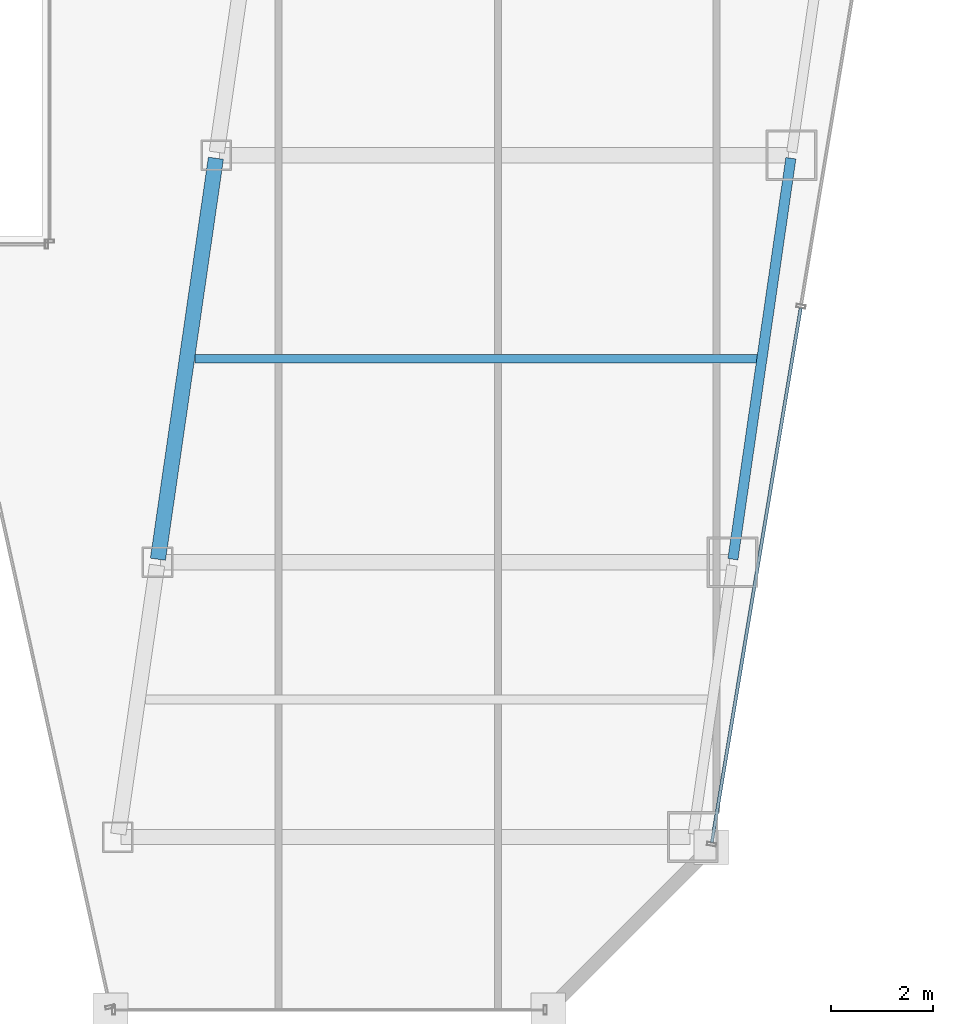
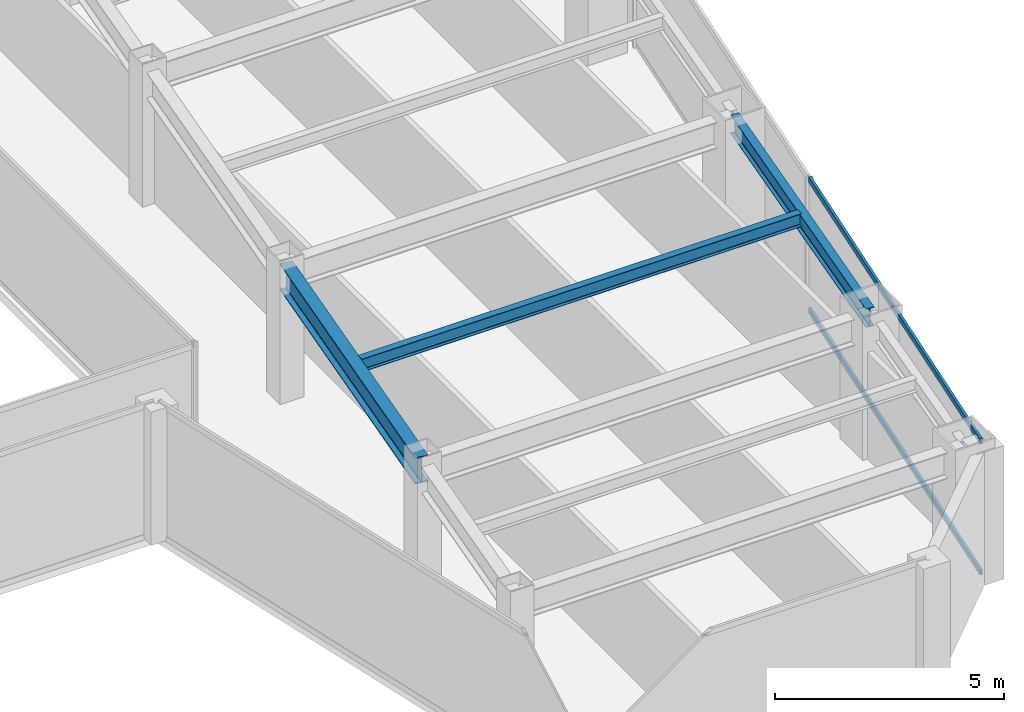
# One storey, part 15 of 36: 3 beams, 2 members, 1 element without a shape of its own.
"""IFC4 building model written with IfcOpenShell, lengths in metres."""

from ifc_helpers import new_model, si_unit, direction, frame, origin, origin_2d, place, context, subcontext, project, spatial, hollow_rectangle, i_section, extrude, material, material_profile, profile_set, type_object, element, aggregate, save


model = new_model("IFC4")

# Units and contexts
model_context = context("Model", 3, precision=1e-05, world=origin(), true_north=direction((0.0, 1.0)))
body_context = subcontext(model_context, "Body", "Model", "MODEL_VIEW")
ifc_project = project(units=[si_unit("LENGTHUNIT", "METRE"), si_unit("AREAUNIT", "SQUARE_METRE"), si_unit("VOLUMEUNIT", "CUBIC_METRE"), si_unit("PLANEANGLEUNIT", "RADIAN"), si_unit("MASSUNIT", "GRAM", prefix="KILO")], contexts=[model_context])

# Site, building, storey
site_placement = place(None, origin())
site = spatial("IfcSite", under=ifc_project, at=site_placement, CompositionType="ELEMENT")
building_placement = place(site_placement, origin())
building = spatial("IfcBuilding", under=site, at=building_placement, Name="Saevonmaru Cultural Tower", CompositionType="ELEMENT")
storey_placement = place(building_placement, frame((0.0, 0.0, 148.60009765625)))
storey = spatial("IfcBuildingStorey", under=building, at=storey_placement, Name="L32", CompositionType="ELEMENT", Elevation=148.60009765625)

# Beams
ifc_material_1 = material(Name="Steel SM355", Category="steel")
ifc_material_profile_1 = material_profile(ifc_material_1, i_section(OverallWidth=0.300048828125, OverallDepth=0.699951171875, WebThickness=0.012939453125, FlangeThickness=0.02392578125, FilletRadius=0.02587890625, at=origin_2d()), Name="H-700x300x13x24")
ifc_profile_set_1 = profile_set([ifc_material_profile_1], Name="Steel SM355")
beam_type_1 = type_object("IfcBeamType", Name="BM-G-H700", PredefinedType="BEAM", material=ifc_profile_set_1)
beam_1_placement = place(storey_placement, frame((38.08056640625, 16.059326171875, 3.199951171875), z_axis=(0.143022161059, 0.989719486241, 0.0), x_axis=(-0.989719486241, 0.143022161059, 0.0)))
element("IfcBeam", 1, at=beam_1_placement, inside=storey, type_object=beam_type_1, Name="L32 East Atrium Girder 2", PredefinedType="BEAM", context=body_context, shape_type="SweptSolid", body=[
    extrude(i_section(OverallWidth=0.300048828125, OverallDepth=0.699951171875, WebThickness=0.012939453125, FlangeThickness=0.02392578125, FilletRadius=0.02587890625, at=origin_2d()), origin(), (0.0, 0.0, 1.0), 7.963134765625),
])
ifc_material_profile_2 = material_profile(ifc_material_1, i_section(OverallWidth=0.175048828125, OverallDepth=0.35009765625, WebThickness=0.007080078125, FlangeThickness=0.010986328125, FilletRadius=0.012939453125, at=origin_2d()), Name="H-350x175x7x11")
ifc_profile_set_2 = profile_set([ifc_material_profile_2], Name="Steel SM355")
beam_type_2 = type_object("IfcBeamType", Name="BM-J-H350", PredefinedType="JOIST", material=ifc_profile_set_2)
beam_2_placement = place(storey_placement, frame((38.80810546875, 20.0, 3.375), z_axis=(1.0, 0.0, 0.0), x_axis=(0.0, 1.0, 0.0)))
element("IfcBeam", 2, at=beam_2_placement, inside=storey, type_object=beam_type_2, Name="L32 East Wing Floor Joist 2", PredefinedType="JOIST", context=body_context, shape_type="SweptSolid", body=[
    extrude(i_section(OverallWidth=0.175048828125, OverallDepth=0.35009765625, WebThickness=0.007080078125, FlangeThickness=0.010986328125, FilletRadius=0.012939453125, at=origin_2d()), origin(), (0.0, 0.0, 1.0), 11.081787109375),
])
ifc_material_profile_3 = material_profile(ifc_material_1, i_section(OverallWidth=0.199951171875, OverallDepth=0.5, WebThickness=0.010009765625, FlangeThickness=0.01611328125, FilletRadius=0.02001953125, at=origin_2d()), Name="H-500x200x10x16")
ifc_profile_set_3 = profile_set([ifc_material_profile_3], Name="Steel SM355")
beam_type_3 = type_object("IfcBeamType", Name="BM-SP-H500", PredefinedType="SPANDREL", material=ifc_profile_set_3)
beam_3_placement = place(storey_placement, frame((49.380615234375, 16.059326171875, 3.2998046875), z_axis=(0.142992129437, 0.989723825579, 0.0), x_axis=(-0.989723825579, 0.142992129437, 0.0)))
element("IfcBeam", 3, at=beam_3_placement, inside=storey, type_object=beam_type_3, Name="L32 East Splayed Spandrel 2", PredefinedType="SPANDREL", context=body_context, shape_type="SweptSolid", body=[
    extrude(i_section(OverallWidth=0.199951171875, OverallDepth=0.5, WebThickness=0.010009765625, FlangeThickness=0.01611328125, FilletRadius=0.02001953125, at=origin_2d()), origin(), (0.0, 0.0, 1.0), 7.963134765625),
])

# Curtain wall, members
ifc_material_2 = material(Name="Satin Bronze Anodised Aluminium", Category="aluminium")
curtain_wall_type = type_object("IfcCurtainWallType", Name="CW-TYP-A", PredefinedType="NOTDEFINED", material=ifc_material_2)
curtain_wall_placement = place(storey_placement, origin())
curtain_wall = element("IfcCurtainWall", 4, at=curtain_wall_placement, inside=storey, type_object=curtain_wall_type, Name="L32 Unitised Curtain Wall E8", PredefinedType="NOTDEFINED")
ifc_material_profile_4 = material_profile(ifc_material_2, hollow_rectangle(XDim=0.06494140625, YDim=0.14990234375, WallThickness=0.00390625, at=origin_2d()), Name="ALU-TRAN-150x65x4")
ifc_profile_set_4 = profile_set([ifc_material_profile_4], Name="Satin Bronze Anodised Aluminium")
member_type = type_object("IfcMemberType", Name="TR-CW-150x65", PredefinedType="USERDEFINED", material=ifc_profile_set_4)
member_1_placement = place(storey_placement, frame((48.96630859375, 10.4912109375, 0.032470703125), z_axis=(0.163990079074, 0.9864619881, 0.0), x_axis=(-0.9864619881, 0.163990079074, 0.0)))
member_1 = element("IfcMember", 5, at=member_1_placement, type_object=member_type, Name="CW-TW-L32-E8 transom 1.1", ObjectType="TRANSOM", PredefinedType="USERDEFINED", context=body_context, shape_type="SweptSolid", body=[
    extrude(hollow_rectangle(XDim=0.06494140625, YDim=0.14990234375, WallThickness=0.00390625, at=origin_2d()), origin(), (0.0, 0.0, 1.0), 10.650634765625),
])
member_2_placement = place(storey_placement, frame((48.96630859375, 10.4912109375, 3.517333984375), z_axis=(0.163990079074, 0.9864619881, 0.0), x_axis=(-0.9864619881, 0.163990079074, 0.0)))
member_2 = element("IfcMember", 6, at=member_2_placement, type_object=member_type, Name="CW-TW-L32-E8 transom 1.2", ObjectType="TRANSOM", PredefinedType="USERDEFINED", context=body_context, shape_type="SweptSolid", body=[
    extrude(hollow_rectangle(XDim=0.06494140625, YDim=0.14990234375, WallThickness=0.00390625, at=origin_2d()), origin(), (0.0, 0.0, 1.0), 10.650634765625),
])
aggregate(curtain_wall, [member_1, member_2])

save(model, "model.ifc")
